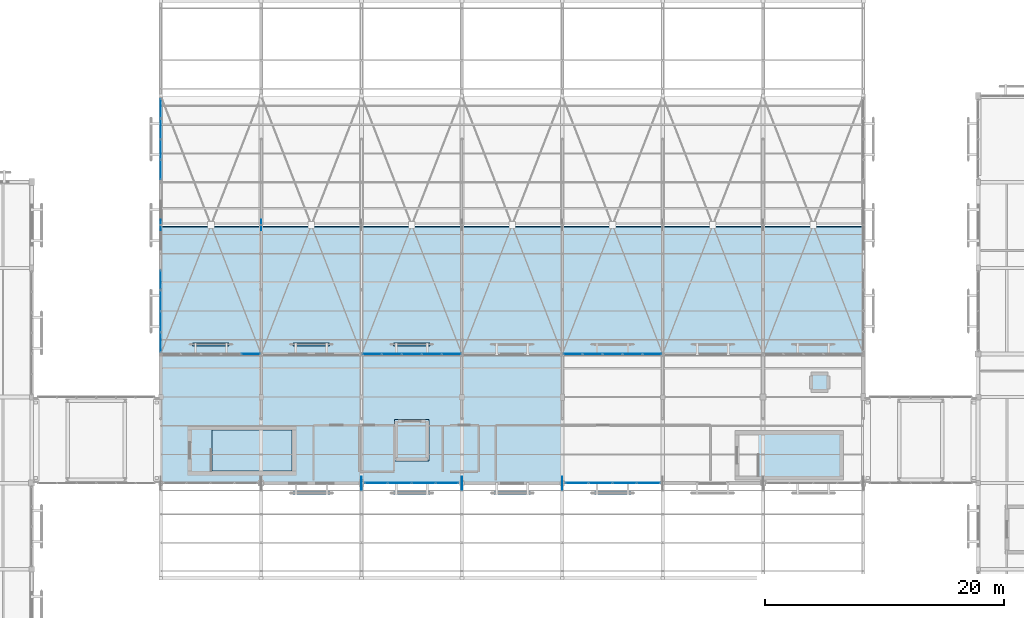
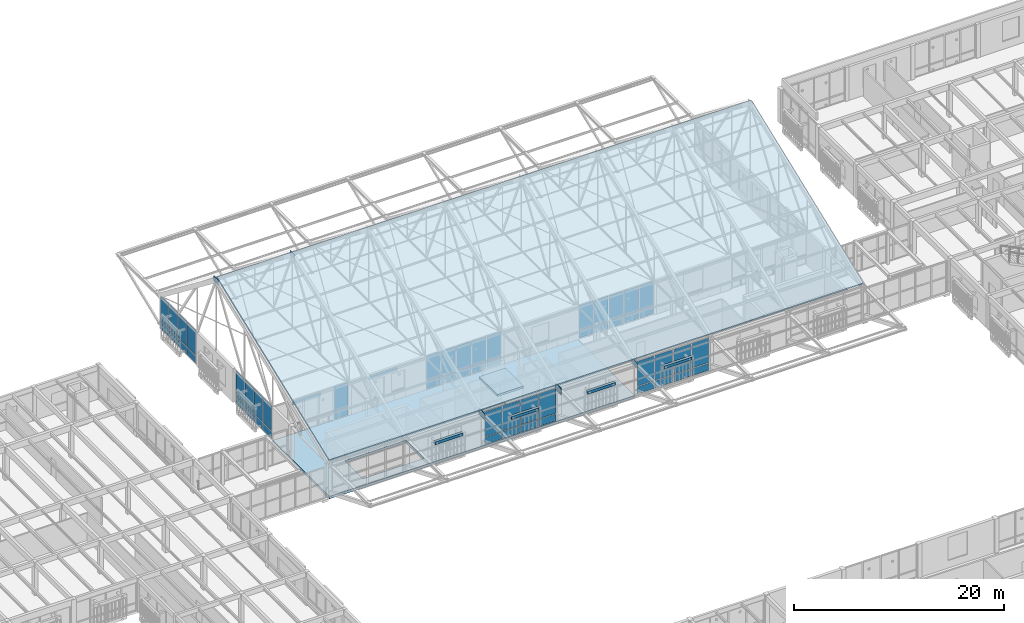
# One storey, part 169 of 217: 66 plates, 3 slabs, 7 elements without a shape of their own.
"""IFC4 building model written with IfcOpenShell, lengths in metres."""

from ifc_helpers import new_model, si_unit, direction, frame, origin, origin_2d, place, context, subcontext, project, spatial, polyline, rectangle, outline, extrude, material, layer, layer_set, type_object, element, aggregate, save


model = new_model("IFC4")

# Units and contexts
model_context = context("Model", 3, precision=1e-05, world=origin(), true_north=direction((0.0, 1.0)))
body_context = subcontext(model_context, "Body", "Model", "MODEL_VIEW")
ifc_project = project(units=[si_unit("LENGTHUNIT", "METRE"), si_unit("AREAUNIT", "SQUARE_METRE"), si_unit("VOLUMEUNIT", "CUBIC_METRE"), si_unit("PLANEANGLEUNIT", "RADIAN"), si_unit("MASSUNIT", "GRAM", prefix="KILO")], contexts=[model_context])

# Site, building, storey
site_placement = place(None, origin())
site = spatial("IfcSite", under=ifc_project, at=site_placement, CompositionType="ELEMENT")
building_placement = place(site_placement, origin())
building = spatial("IfcBuilding", under=site, at=building_placement, Name="Mazaris Harbour Polytechnic", CompositionType="ELEMENT")
storey_placement = place(building_placement, frame((0.0, 0.0, 9.60009765625)))
storey = spatial("IfcBuildingStorey", under=building, at=storey_placement, Name="L02", CompositionType="ELEMENT", Elevation=9.60009765625)

# Curtain wall, plates
ifc_material_1 = material(Name="Anodised Bronze Aluminium and Low-E Glass", Category="aluminium")
ifc_layer_1 = layer(ifc_material_1, 0.14990234375, Name="Anodised Bronze Aluminium and Low-E Glass")
ifc_layer_set_1 = layer_set([ifc_layer_1], Name="Anodised Bronze Aluminium and Low-E Glass")
curtain_wall_type = type_object("IfcCurtainWallType", Name="Workshop Clerestory Curtain Wall", PredefinedType="NOTDEFINED", material=ifc_layer_set_1)
curtain_wall_1_placement = place(storey_placement, origin())
curtain_wall_1 = element("IfcCurtainWall", 1, at=curtain_wall_1_placement, inside=storey, type_object=curtain_wall_type, Name="V1 L02 Curtain Wall 26", PredefinedType="NOTDEFINED")
ifc_material_2 = material(Name="Acoustic Low-E Double Glazing", Category="glass")
ifc_layer_2 = layer(ifc_material_2, 0.033935546875, Name="Acoustic Low-E Double Glazing")
ifc_layer_set_2 = layer_set([ifc_layer_2], Name="Acoustic Low-E Double Glazing")
plate_type_1 = type_object("IfcPlateType", Name="Acoustic Laminated Glass Panel 34", PredefinedType="CURTAIN_PANEL", material=ifc_layer_set_2)
plate_1_placement = place(storey_placement, frame((77.974853515625, 75.60009765625, 0.079833984375), z_axis=(0.0, 0.0, 1.0), x_axis=(-1.0, 0.0, 0.0)))
plate_1 = element("IfcPlate", 2, at=plate_1_placement, type_object=plate_type_1, Name="CW-04 panel 1.1", PredefinedType="CURTAIN_PANEL", context=body_context, shape_type="SweptSolid", body=[
    extrude(rectangle(XDim=1.846435546875, YDim=0.033935546875, at=origin_2d()), origin(), (0.0, 0.0, 1.0), 0.830078125),
])
plate_2_placement = place(storey_placement, frame((77.974853515625, 75.60009765625, 0.98974609375), z_axis=(0.0, 0.0, 1.0), x_axis=(-1.0, 0.0, 0.0)))
plate_2 = element("IfcPlate", 3, at=plate_2_placement, type_object=plate_type_1, Name="CW-04 panel 1.2", PredefinedType="CURTAIN_PANEL", context=body_context, shape_type="SweptSolid", body=[
    extrude(rectangle(XDim=1.846435546875, YDim=0.033935546875, at=origin_2d()), origin(), (0.0, 0.0, 1.0), 2.889892578125),
])
plate_3_placement = place(storey_placement, frame((76.003173828125, 75.60009765625, 0.079833984375), z_axis=(0.0, 0.0, 1.0), x_axis=(-1.0, 0.0, 0.0)))
plate_3 = element("IfcPlate", 4, at=plate_3_placement, type_object=plate_type_1, Name="CW-04 panel 2.1", PredefinedType="CURTAIN_PANEL", context=body_context, shape_type="SweptSolid", body=[
    extrude(rectangle(XDim=1.896484375, YDim=0.033935546875, at=origin_2d()), origin(), (0.0, 0.0, 1.0), 0.830078125),
])
plate_4_placement = place(storey_placement, frame((76.003173828125, 75.60009765625, 0.98974609375), z_axis=(0.0, 0.0, 1.0), x_axis=(-1.0, 0.0, 0.0)))
plate_4 = element("IfcPlate", 5, at=plate_4_placement, type_object=plate_type_1, Name="CW-04 panel 2.2", PredefinedType="CURTAIN_PANEL", context=body_context, shape_type="SweptSolid", body=[
    extrude(rectangle(XDim=1.896484375, YDim=0.033935546875, at=origin_2d()), origin(), (0.0, 0.0, 1.0), 2.889892578125),
])
plate_5_placement = place(storey_placement, frame((74.0068359375, 75.60009765625, 0.079833984375), z_axis=(0.0, 0.0, 1.0), x_axis=(-1.0, 0.0, 0.0)))
plate_5 = element("IfcPlate", 6, at=plate_5_placement, type_object=plate_type_1, Name="CW-04 panel 3.1", PredefinedType="CURTAIN_PANEL", context=body_context, shape_type="SweptSolid", body=[
    extrude(rectangle(XDim=1.896484375, YDim=0.033935546875, at=origin_2d()), origin(), (0.0, 0.0, 1.0), 0.830078125),
])
plate_6_placement = place(storey_placement, frame((74.0068359375, 75.60009765625, 0.98974609375), z_axis=(0.0, 0.0, 1.0), x_axis=(-1.0, 0.0, 0.0)))
plate_6 = element("IfcPlate", 7, at=plate_6_placement, type_object=plate_type_1, Name="CW-04 panel 3.2", PredefinedType="CURTAIN_PANEL", context=body_context, shape_type="SweptSolid", body=[
    extrude(rectangle(XDim=1.896484375, YDim=0.033935546875, at=origin_2d()), origin(), (0.0, 0.0, 1.0), 2.889892578125),
])
plate_7_placement = place(storey_placement, frame((72.03515625, 75.60009765625, 0.079833984375), z_axis=(0.0, 0.0, 1.0), x_axis=(-1.0, 0.0, 0.0)))
plate_7 = element("IfcPlate", 8, at=plate_7_placement, type_object=plate_type_1, Name="CW-04 panel 4.1", PredefinedType="CURTAIN_PANEL", context=body_context, shape_type="SweptSolid", body=[
    extrude(rectangle(XDim=1.846435546875, YDim=0.033935546875, at=origin_2d()), origin(), (0.0, 0.0, 1.0), 0.830078125),
])
plate_8_placement = place(storey_placement, frame((72.03515625, 75.60009765625, 0.98974609375), z_axis=(0.0, 0.0, 1.0), x_axis=(-1.0, 0.0, 0.0)))
plate_8 = element("IfcPlate", 9, at=plate_8_placement, type_object=plate_type_1, Name="CW-04 panel 4.2", PredefinedType="CURTAIN_PANEL", context=body_context, shape_type="SweptSolid", body=[
    extrude(rectangle(XDim=1.846435546875, YDim=0.033935546875, at=origin_2d()), origin(), (0.0, 0.0, 1.0), 2.889892578125),
])
aggregate(curtain_wall_1, [plate_1, plate_2, plate_3, plate_4, plate_5, plate_6, plate_7, plate_8])

curtain_wall_2_placement = place(storey_placement, origin())
curtain_wall_2 = element("IfcCurtainWall", 10, at=curtain_wall_2_placement, inside=storey, type_object=curtain_wall_type, Name="V1 L02 Curtain Wall 27", PredefinedType="NOTDEFINED")
plate_9_placement = place(storey_placement, frame((94.8046875, 75.60009765625, 0.079833984375), z_axis=(0.0, 0.0, 1.0), x_axis=(-1.0, 0.0, 0.0)))
plate_9 = element("IfcPlate", 11, at=plate_9_placement, type_object=plate_type_1, Name="CW-04 panel 1.1", PredefinedType="CURTAIN_PANEL", context=body_context, shape_type="SweptSolid", body=[
    extrude(rectangle(XDim=1.866455078125, YDim=0.033935546875, at=origin_2d()), origin(), (0.0, 0.0, 1.0), 0.830078125),
])
plate_10_placement = place(storey_placement, frame((94.8046875, 75.60009765625, 0.98974609375), z_axis=(0.0, 0.0, 1.0), x_axis=(-1.0, 0.0, 0.0)))
plate_10 = element("IfcPlate", 12, at=plate_10_placement, type_object=plate_type_1, Name="CW-04 panel 1.2", PredefinedType="CURTAIN_PANEL", context=body_context, shape_type="SweptSolid", body=[
    extrude(rectangle(XDim=1.866455078125, YDim=0.033935546875, at=origin_2d()), origin(), (0.0, 0.0, 1.0), 2.889892578125),
])
plate_11_placement = place(storey_placement, frame((92.813232421875, 75.60009765625, 0.079833984375), z_axis=(0.0, 0.0, 1.0), x_axis=(-1.0, 0.0, 0.0)))
plate_11 = element("IfcPlate", 13, at=plate_11_placement, type_object=plate_type_1, Name="CW-04 panel 2.1", PredefinedType="CURTAIN_PANEL", context=body_context, shape_type="SweptSolid", body=[
    extrude(rectangle(XDim=1.91650390625, YDim=0.033935546875, at=origin_2d()), origin(), (0.0, 0.0, 1.0), 0.830078125),
])
plate_12_placement = place(storey_placement, frame((92.813232421875, 75.60009765625, 0.98974609375), z_axis=(0.0, 0.0, 1.0), x_axis=(-1.0, 0.0, 0.0)))
plate_12 = element("IfcPlate", 14, at=plate_12_placement, type_object=plate_type_1, Name="CW-04 panel 2.2", PredefinedType="CURTAIN_PANEL", context=body_context, shape_type="SweptSolid", body=[
    extrude(rectangle(XDim=1.91650390625, YDim=0.033935546875, at=origin_2d()), origin(), (0.0, 0.0, 1.0), 2.889892578125),
])
plate_13_placement = place(storey_placement, frame((90.796630859375, 75.60009765625, 0.079833984375), z_axis=(0.0, 0.0, 1.0), x_axis=(-1.0, 0.0, 0.0)))
plate_13 = element("IfcPlate", 15, at=plate_13_placement, type_object=plate_type_1, Name="CW-04 panel 3.1", PredefinedType="CURTAIN_PANEL", context=body_context, shape_type="SweptSolid", body=[
    extrude(rectangle(XDim=1.91650390625, YDim=0.033935546875, at=origin_2d()), origin(), (0.0, 0.0, 1.0), 0.830078125),
])
plate_14_placement = place(storey_placement, frame((90.796630859375, 75.60009765625, 0.98974609375), z_axis=(0.0, 0.0, 1.0), x_axis=(-1.0, 0.0, 0.0)))
plate_14 = element("IfcPlate", 16, at=plate_14_placement, type_object=plate_type_1, Name="CW-04 panel 3.2", PredefinedType="CURTAIN_PANEL", context=body_context, shape_type="SweptSolid", body=[
    extrude(rectangle(XDim=1.91650390625, YDim=0.033935546875, at=origin_2d()), origin(), (0.0, 0.0, 1.0), 2.889892578125),
])
plate_15_placement = place(storey_placement, frame((88.80517578125, 75.60009765625, 0.079833984375), z_axis=(0.0, 0.0, 1.0), x_axis=(-1.0, 0.0, 0.0)))
plate_15 = element("IfcPlate", 17, at=plate_15_placement, type_object=plate_type_1, Name="CW-04 panel 4.1", PredefinedType="CURTAIN_PANEL", context=body_context, shape_type="SweptSolid", body=[
    extrude(rectangle(XDim=1.866455078125, YDim=0.033935546875, at=origin_2d()), origin(), (0.0, 0.0, 1.0), 0.830078125),
])
plate_16_placement = place(storey_placement, frame((88.80517578125, 75.60009765625, 0.98974609375), z_axis=(0.0, 0.0, 1.0), x_axis=(-1.0, 0.0, 0.0)))
plate_16 = element("IfcPlate", 18, at=plate_16_placement, type_object=plate_type_1, Name="CW-04 panel 4.2", PredefinedType="CURTAIN_PANEL", context=body_context, shape_type="SweptSolid", body=[
    extrude(rectangle(XDim=1.866455078125, YDim=0.033935546875, at=origin_2d()), origin(), (0.0, 0.0, 1.0), 2.889892578125),
])
aggregate(curtain_wall_2, [plate_9, plate_10, plate_11, plate_12, plate_13, plate_14, plate_15, plate_16])

curtain_wall_3_placement = place(storey_placement, origin())
curtain_wall_3 = element("IfcCurtainWall", 19, at=curtain_wall_3_placement, inside=storey, type_object=curtain_wall_type, Name="V1 L02 Curtain Wall 29", PredefinedType="NOTDEFINED")
plate_17_placement = place(storey_placement, frame((61.528564453125, 86.39990234375, 0.079833984375), z_axis=(0.0, 0.0, 1.0), x_axis=(1.0, 0.0, 0.0)))
plate_17 = element("IfcPlate", 20, at=plate_17_placement, type_object=plate_type_1, Name="CW-04 panel 5.1", PredefinedType="CURTAIN_PANEL", context=body_context, shape_type="SweptSolid", body=[
    extrude(rectangle(XDim=1.52685546875, YDim=0.033935546875, at=origin_2d()), origin(), (0.0, 0.0, 1.0), 0.830078125),
])
plate_18_placement = place(storey_placement, frame((61.528564453125, 86.39990234375, 0.98974609375), z_axis=(0.0, 0.0, 1.0), x_axis=(1.0, 0.0, 0.0)))
plate_18 = element("IfcPlate", 21, at=plate_18_placement, type_object=plate_type_1, Name="CW-04 panel 5.2", PredefinedType="CURTAIN_PANEL", context=body_context, shape_type="SweptSolid", body=[
    extrude(rectangle(XDim=1.52685546875, YDim=0.033935546875, at=origin_2d()), origin(), (0.0, 0.0, 1.0), 2.889892578125),
])
aggregate(curtain_wall_3, [plate_17, plate_18])

curtain_wall_4_placement = place(storey_placement, origin())
curtain_wall_4 = element("IfcCurtainWall", 22, at=curtain_wall_4_placement, inside=storey, type_object=curtain_wall_type, Name="V1 L02 Curtain Wall 30", PredefinedType="NOTDEFINED")
plate_19_placement = place(storey_placement, frame((71.67138671875, 86.39990234375, 0.079833984375), z_axis=(0.0, 0.0, 1.0), x_axis=(1.0, 0.0, 0.0)))
plate_19 = element("IfcPlate", 23, at=plate_19_placement, type_object=plate_type_1, Name="CW-04 panel 1.1", PredefinedType="CURTAIN_PANEL", context=body_context, shape_type="SweptSolid", body=[
    extrude(rectangle(XDim=1.52685546875, YDim=0.033935546875, at=origin_2d()), origin(), (0.0, 0.0, 1.0), 0.830078125),
])
plate_20_placement = place(storey_placement, frame((71.67138671875, 86.39990234375, 0.98974609375), z_axis=(0.0, 0.0, 1.0), x_axis=(1.0, 0.0, 0.0)))
plate_20 = element("IfcPlate", 24, at=plate_20_placement, type_object=plate_type_1, Name="CW-04 panel 1.2", PredefinedType="CURTAIN_PANEL", context=body_context, shape_type="SweptSolid", body=[
    extrude(rectangle(XDim=1.52685546875, YDim=0.033935546875, at=origin_2d()), origin(), (0.0, 0.0, 1.0), 2.889892578125),
])
plate_21_placement = place(storey_placement, frame((73.3232421875, 86.39990234375, 0.079833984375), z_axis=(0.0, 0.0, 1.0), x_axis=(1.0, 0.0, 0.0)))
plate_21 = element("IfcPlate", 25, at=plate_21_placement, type_object=plate_type_1, Name="CW-04 panel 2.1", PredefinedType="CURTAIN_PANEL", context=body_context, shape_type="SweptSolid", body=[
    extrude(rectangle(XDim=1.576904296875, YDim=0.033935546875, at=origin_2d()), origin(), (0.0, 0.0, 1.0), 0.830078125),
])
plate_22_placement = place(storey_placement, frame((73.3232421875, 86.39990234375, 0.98974609375), z_axis=(0.0, 0.0, 1.0), x_axis=(1.0, 0.0, 0.0)))
plate_22 = element("IfcPlate", 26, at=plate_22_placement, type_object=plate_type_1, Name="CW-04 panel 2.2", PredefinedType="CURTAIN_PANEL", context=body_context, shape_type="SweptSolid", body=[
    extrude(rectangle(XDim=1.576904296875, YDim=0.033935546875, at=origin_2d()), origin(), (0.0, 0.0, 1.0), 2.889892578125),
])
plate_23_placement = place(storey_placement, frame((75.0, 86.39990234375, 0.079833984375), z_axis=(0.0, 0.0, 1.0), x_axis=(1.0, 0.0, 0.0)))
plate_23 = element("IfcPlate", 27, at=plate_23_placement, type_object=plate_type_1, Name="CW-04 panel 3.1", PredefinedType="CURTAIN_PANEL", context=body_context, shape_type="SweptSolid", body=[
    extrude(rectangle(XDim=1.576904296875, YDim=0.033935546875, at=origin_2d()), origin(), (0.0, 0.0, 1.0), 0.830078125),
])
plate_24_placement = place(storey_placement, frame((75.0, 86.39990234375, 0.98974609375), z_axis=(0.0, 0.0, 1.0), x_axis=(1.0, 0.0, 0.0)))
plate_24 = element("IfcPlate", 28, at=plate_24_placement, type_object=plate_type_1, Name="CW-04 panel 3.2", PredefinedType="CURTAIN_PANEL", context=body_context, shape_type="SweptSolid", body=[
    extrude(rectangle(XDim=1.576904296875, YDim=0.033935546875, at=origin_2d()), origin(), (0.0, 0.0, 1.0), 2.889892578125),
])
plate_25_placement = place(storey_placement, frame((76.6767578125, 86.39990234375, 0.079833984375), z_axis=(0.0, 0.0, 1.0), x_axis=(1.0, 0.0, 0.0)))
plate_25 = element("IfcPlate", 29, at=plate_25_placement, type_object=plate_type_1, Name="CW-04 panel 4.1", PredefinedType="CURTAIN_PANEL", context=body_context, shape_type="SweptSolid", body=[
    extrude(rectangle(XDim=1.576904296875, YDim=0.033935546875, at=origin_2d()), origin(), (0.0, 0.0, 1.0), 0.830078125),
])
plate_26_placement = place(storey_placement, frame((76.6767578125, 86.39990234375, 0.98974609375), z_axis=(0.0, 0.0, 1.0), x_axis=(1.0, 0.0, 0.0)))
plate_26 = element("IfcPlate", 30, at=plate_26_placement, type_object=plate_type_1, Name="CW-04 panel 4.2", PredefinedType="CURTAIN_PANEL", context=body_context, shape_type="SweptSolid", body=[
    extrude(rectangle(XDim=1.576904296875, YDim=0.033935546875, at=origin_2d()), origin(), (0.0, 0.0, 1.0), 2.889892578125),
])
plate_27_placement = place(storey_placement, frame((78.32861328125, 86.39990234375, 0.079833984375), z_axis=(0.0, 0.0, 1.0), x_axis=(1.0, 0.0, 0.0)))
plate_27 = element("IfcPlate", 31, at=plate_27_placement, type_object=plate_type_1, Name="CW-04 panel 5.1", PredefinedType="CURTAIN_PANEL", context=body_context, shape_type="SweptSolid", body=[
    extrude(rectangle(XDim=1.52685546875, YDim=0.033935546875, at=origin_2d()), origin(), (0.0, 0.0, 1.0), 0.830078125),
])
plate_28_placement = place(storey_placement, frame((78.32861328125, 86.39990234375, 0.98974609375), z_axis=(0.0, 0.0, 1.0), x_axis=(1.0, 0.0, 0.0)))
plate_28 = element("IfcPlate", 32, at=plate_28_placement, type_object=plate_type_1, Name="CW-04 panel 5.2", PredefinedType="CURTAIN_PANEL", context=body_context, shape_type="SweptSolid", body=[
    extrude(rectangle(XDim=1.52685546875, YDim=0.033935546875, at=origin_2d()), origin(), (0.0, 0.0, 1.0), 2.889892578125),
])
aggregate(curtain_wall_4, [plate_19, plate_20, plate_21, plate_22, plate_23, plate_24, plate_25, plate_26, plate_27, plate_28])

curtain_wall_5_placement = place(storey_placement, origin())
curtain_wall_5 = element("IfcCurtainWall", 33, at=curtain_wall_5_placement, inside=storey, type_object=curtain_wall_type, Name="V1 L02 Curtain Wall 31", PredefinedType="NOTDEFINED")
plate_29_placement = place(storey_placement, frame((88.471435546875, 86.39990234375, 0.079833984375), z_axis=(0.0, 0.0, 1.0), x_axis=(1.0, 0.0, 0.0)))
plate_29 = element("IfcPlate", 34, at=plate_29_placement, type_object=plate_type_1, Name="CW-04 panel 1.1", PredefinedType="CURTAIN_PANEL", context=body_context, shape_type="SweptSolid", body=[
    extrude(rectangle(XDim=1.52685546875, YDim=0.033935546875, at=origin_2d()), origin(), (0.0, 0.0, 1.0), 0.830078125),
])
plate_30_placement = place(storey_placement, frame((88.471435546875, 86.39990234375, 0.98974609375), z_axis=(0.0, 0.0, 1.0), x_axis=(1.0, 0.0, 0.0)))
plate_30 = element("IfcPlate", 35, at=plate_30_placement, type_object=plate_type_1, Name="CW-04 panel 1.2", PredefinedType="CURTAIN_PANEL", context=body_context, shape_type="SweptSolid", body=[
    extrude(rectangle(XDim=1.52685546875, YDim=0.033935546875, at=origin_2d()), origin(), (0.0, 0.0, 1.0), 2.889892578125),
])
plate_31_placement = place(storey_placement, frame((90.123291015625, 86.39990234375, 0.079833984375), z_axis=(0.0, 0.0, 1.0), x_axis=(1.0, 0.0, 0.0)))
plate_31 = element("IfcPlate", 36, at=plate_31_placement, type_object=plate_type_1, Name="CW-04 panel 2.1", PredefinedType="CURTAIN_PANEL", context=body_context, shape_type="SweptSolid", body=[
    extrude(rectangle(XDim=1.576904296875, YDim=0.033935546875, at=origin_2d()), origin(), (0.0, 0.0, 1.0), 0.830078125),
])
plate_32_placement = place(storey_placement, frame((90.123291015625, 86.39990234375, 0.98974609375), z_axis=(0.0, 0.0, 1.0), x_axis=(1.0, 0.0, 0.0)))
plate_32 = element("IfcPlate", 37, at=plate_32_placement, type_object=plate_type_1, Name="CW-04 panel 2.2", PredefinedType="CURTAIN_PANEL", context=body_context, shape_type="SweptSolid", body=[
    extrude(rectangle(XDim=1.576904296875, YDim=0.033935546875, at=origin_2d()), origin(), (0.0, 0.0, 1.0), 2.889892578125),
])
plate_33_placement = place(storey_placement, frame((91.800048828125, 86.39990234375, 0.079833984375), z_axis=(0.0, 0.0, 1.0), x_axis=(1.0, 0.0, 0.0)))
plate_33 = element("IfcPlate", 38, at=plate_33_placement, type_object=plate_type_1, Name="CW-04 panel 3.1", PredefinedType="CURTAIN_PANEL", context=body_context, shape_type="SweptSolid", body=[
    extrude(rectangle(XDim=1.576904296875, YDim=0.033935546875, at=origin_2d()), origin(), (0.0, 0.0, 1.0), 0.830078125),
])
plate_34_placement = place(storey_placement, frame((91.800048828125, 86.39990234375, 0.98974609375), z_axis=(0.0, 0.0, 1.0), x_axis=(1.0, 0.0, 0.0)))
plate_34 = element("IfcPlate", 39, at=plate_34_placement, type_object=plate_type_1, Name="CW-04 panel 3.2", PredefinedType="CURTAIN_PANEL", context=body_context, shape_type="SweptSolid", body=[
    extrude(rectangle(XDim=1.576904296875, YDim=0.033935546875, at=origin_2d()), origin(), (0.0, 0.0, 1.0), 2.889892578125),
])
plate_35_placement = place(storey_placement, frame((93.476806640625, 86.39990234375, 0.079833984375), z_axis=(0.0, 0.0, 1.0), x_axis=(1.0, 0.0, 0.0)))
plate_35 = element("IfcPlate", 40, at=plate_35_placement, type_object=plate_type_1, Name="CW-04 panel 4.1", PredefinedType="CURTAIN_PANEL", context=body_context, shape_type="SweptSolid", body=[
    extrude(rectangle(XDim=1.576904296875, YDim=0.033935546875, at=origin_2d()), origin(), (0.0, 0.0, 1.0), 0.830078125),
])
plate_36_placement = place(storey_placement, frame((93.476806640625, 86.39990234375, 0.98974609375), z_axis=(0.0, 0.0, 1.0), x_axis=(1.0, 0.0, 0.0)))
plate_36 = element("IfcPlate", 41, at=plate_36_placement, type_object=plate_type_1, Name="CW-04 panel 4.2", PredefinedType="CURTAIN_PANEL", context=body_context, shape_type="SweptSolid", body=[
    extrude(rectangle(XDim=1.576904296875, YDim=0.033935546875, at=origin_2d()), origin(), (0.0, 0.0, 1.0), 2.889892578125),
])
plate_37_placement = place(storey_placement, frame((95.128662109375, 86.39990234375, 0.079833984375), z_axis=(0.0, 0.0, 1.0), x_axis=(1.0, 0.0, 0.0)))
plate_37 = element("IfcPlate", 42, at=plate_37_placement, type_object=plate_type_1, Name="CW-04 panel 5.1", PredefinedType="CURTAIN_PANEL", context=body_context, shape_type="SweptSolid", body=[
    extrude(rectangle(XDim=1.52685546875, YDim=0.033935546875, at=origin_2d()), origin(), (0.0, 0.0, 1.0), 0.830078125),
])
plate_38_placement = place(storey_placement, frame((95.128662109375, 86.39990234375, 0.98974609375), z_axis=(0.0, 0.0, 1.0), x_axis=(1.0, 0.0, 0.0)))
plate_38 = element("IfcPlate", 43, at=plate_38_placement, type_object=plate_type_1, Name="CW-04 panel 5.2", PredefinedType="CURTAIN_PANEL", context=body_context, shape_type="SweptSolid", body=[
    extrude(rectangle(XDim=1.52685546875, YDim=0.033935546875, at=origin_2d()), origin(), (0.0, 0.0, 1.0), 2.889892578125),
])
aggregate(curtain_wall_5, [plate_29, plate_30, plate_31, plate_32, plate_33, plate_34, plate_35, plate_36, plate_37, plate_38])

curtain_wall_6_placement = place(storey_placement, origin())
curtain_wall_6 = element("IfcCurtainWall", 44, at=curtain_wall_6_placement, inside=storey, type_object=curtain_wall_type, Name="V1 L02 Curtain Wall 33", PredefinedType="NOTDEFINED")
plate_39_placement = place(storey_placement, frame((54.0, 87.395263671875, 0.079833984375), z_axis=(0.0, 0.0, 1.0), x_axis=(0.0, 1.0, 0.0)))
plate_39 = element("IfcPlate", 45, at=plate_39_placement, type_object=plate_type_1, Name="CW-04 panel 1.1", PredefinedType="CURTAIN_PANEL", context=body_context, shape_type="SweptSolid", body=[
    extrude(rectangle(XDim=1.596435546875, YDim=0.033935546875, at=origin_2d()), origin(), (0.0, 0.0, 1.0), 0.830078125),
])
plate_40_placement = place(storey_placement, frame((54.0, 87.395263671875, 0.98974609375), z_axis=(0.0, 0.0, 1.0), x_axis=(0.0, 1.0, 0.0)))
plate_40 = element("IfcPlate", 46, at=plate_40_placement, type_object=plate_type_1, Name="CW-04 panel 1.2", PredefinedType="CURTAIN_PANEL", context=body_context, shape_type="SweptSolid", body=[
    extrude(rectangle(XDim=1.596435546875, YDim=0.033935546875, at=origin_2d()), origin(), (0.0, 0.0, 1.0), 2.889892578125),
])
plate_41_placement = place(storey_placement, frame((54.0, 89.11669921875, 0.079833984375), z_axis=(0.0, 0.0, 1.0), x_axis=(0.0, 1.0, 0.0)))
plate_41 = element("IfcPlate", 47, at=plate_41_placement, type_object=plate_type_1, Name="CW-04 panel 2.1", PredefinedType="CURTAIN_PANEL", context=body_context, shape_type="SweptSolid", body=[
    extrude(rectangle(XDim=1.646484375, YDim=0.033935546875, at=origin_2d()), origin(), (0.0, 0.0, 1.0), 0.830078125),
])
plate_42_placement = place(storey_placement, frame((54.0, 89.11669921875, 0.98974609375), z_axis=(0.0, 0.0, 1.0), x_axis=(0.0, 1.0, 0.0)))
plate_42 = element("IfcPlate", 48, at=plate_42_placement, type_object=plate_type_1, Name="CW-04 panel 2.2", PredefinedType="CURTAIN_PANEL", context=body_context, shape_type="SweptSolid", body=[
    extrude(rectangle(XDim=1.646484375, YDim=0.033935546875, at=origin_2d()), origin(), (0.0, 0.0, 1.0), 2.889892578125),
])
plate_43_placement = place(storey_placement, frame((54.0, 90.86328125, 0.079833984375), z_axis=(0.0, 0.0, 1.0), x_axis=(0.0, 1.0, 0.0)))
plate_43 = element("IfcPlate", 49, at=plate_43_placement, type_object=plate_type_1, Name="CW-04 panel 3.1", PredefinedType="CURTAIN_PANEL", context=body_context, shape_type="SweptSolid", body=[
    extrude(rectangle(XDim=1.646484375, YDim=0.033935546875, at=origin_2d()), origin(), (0.0, 0.0, 1.0), 0.830078125),
])
plate_44_placement = place(storey_placement, frame((54.0, 90.86328125, 0.98974609375), z_axis=(0.0, 0.0, 1.0), x_axis=(0.0, 1.0, 0.0)))
plate_44 = element("IfcPlate", 50, at=plate_44_placement, type_object=plate_type_1, Name="CW-04 panel 3.2", PredefinedType="CURTAIN_PANEL", context=body_context, shape_type="SweptSolid", body=[
    extrude(rectangle(XDim=1.646484375, YDim=0.033935546875, at=origin_2d()), origin(), (0.0, 0.0, 1.0), 2.889892578125),
])
plate_45_placement = place(storey_placement, frame((54.0, 92.584716796875, 0.079833984375), z_axis=(0.0, 0.0, 1.0), x_axis=(0.0, 1.0, 0.0)))
plate_45 = element("IfcPlate", 51, at=plate_45_placement, type_object=plate_type_1, Name="CW-04 panel 4.1", PredefinedType="CURTAIN_PANEL", context=body_context, shape_type="SweptSolid", body=[
    extrude(rectangle(XDim=1.596435546875, YDim=0.033935546875, at=origin_2d()), origin(), (0.0, 0.0, 1.0), 0.830078125),
])
plate_46_placement = place(storey_placement, frame((54.0, 92.584716796875, 0.98974609375), z_axis=(0.0, 0.0, 1.0), x_axis=(0.0, 1.0, 0.0)))
plate_46 = element("IfcPlate", 52, at=plate_46_placement, type_object=plate_type_1, Name="CW-04 panel 4.2", PredefinedType="CURTAIN_PANEL", context=body_context, shape_type="SweptSolid", body=[
    extrude(rectangle(XDim=1.596435546875, YDim=0.033935546875, at=origin_2d()), origin(), (0.0, 0.0, 1.0), 2.889892578125),
])
aggregate(curtain_wall_6, [plate_39, plate_40, plate_41, plate_42, plate_43, plate_44, plate_45, plate_46])

curtain_wall_7_placement = place(storey_placement, origin())
curtain_wall_7 = element("IfcCurtainWall", 53, at=curtain_wall_7_placement, inside=storey, type_object=curtain_wall_type, Name="V1 L02 Curtain Wall 34", PredefinedType="NOTDEFINED")
plate_47_placement = place(storey_placement, frame((54.0, 101.8251953125, 0.079833984375), z_axis=(0.0, 0.0, 1.0), x_axis=(0.0, 1.0, 0.0)))
plate_47 = element("IfcPlate", 54, at=plate_47_placement, type_object=plate_type_1, Name="CW-04 panel 1.1", PredefinedType="CURTAIN_PANEL", context=body_context, shape_type="SweptSolid", body=[
    extrude(rectangle(XDim=1.576416015625, YDim=0.033935546875, at=origin_2d()), origin(), (0.0, 0.0, 1.0), 0.830078125),
])
plate_48_placement = place(storey_placement, frame((54.0, 101.8251953125, 0.98974609375), z_axis=(0.0, 0.0, 1.0), x_axis=(0.0, 1.0, 0.0)))
plate_48 = element("IfcPlate", 55, at=plate_48_placement, type_object=plate_type_1, Name="CW-04 panel 1.2", PredefinedType="CURTAIN_PANEL", context=body_context, shape_type="SweptSolid", body=[
    extrude(rectangle(XDim=1.576416015625, YDim=0.033935546875, at=origin_2d()), origin(), (0.0, 0.0, 1.0), 2.889892578125),
])
plate_49_placement = place(storey_placement, frame((54.0, 103.52685546875, 0.079833984375), z_axis=(0.0, 0.0, 1.0), x_axis=(0.0, 1.0, 0.0)))
plate_49 = element("IfcPlate", 56, at=plate_49_placement, type_object=plate_type_1, Name="CW-04 panel 2.1", PredefinedType="CURTAIN_PANEL", context=body_context, shape_type="SweptSolid", body=[
    extrude(rectangle(XDim=1.62646484375, YDim=0.033935546875, at=origin_2d()), origin(), (0.0, 0.0, 1.0), 0.830078125),
])
plate_50_placement = place(storey_placement, frame((54.0, 103.52685546875, 0.98974609375), z_axis=(0.0, 0.0, 1.0), x_axis=(0.0, 1.0, 0.0)))
plate_50 = element("IfcPlate", 57, at=plate_50_placement, type_object=plate_type_1, Name="CW-04 panel 2.2", PredefinedType="CURTAIN_PANEL", context=body_context, shape_type="SweptSolid", body=[
    extrude(rectangle(XDim=1.62646484375, YDim=0.033935546875, at=origin_2d()), origin(), (0.0, 0.0, 1.0), 2.889892578125),
])
plate_51_placement = place(storey_placement, frame((54.0, 105.253173828125, 0.079833984375), z_axis=(0.0, 0.0, 1.0), x_axis=(0.0, 1.0, 0.0)))
plate_51 = element("IfcPlate", 58, at=plate_51_placement, type_object=plate_type_1, Name="CW-04 panel 3.1", PredefinedType="CURTAIN_PANEL", context=body_context, shape_type="SweptSolid", body=[
    extrude(rectangle(XDim=1.62646484375, YDim=0.033935546875, at=origin_2d()), origin(), (0.0, 0.0, 1.0), 0.830078125),
])
plate_52_placement = place(storey_placement, frame((54.0, 105.253173828125, 0.98974609375), z_axis=(0.0, 0.0, 1.0), x_axis=(0.0, 1.0, 0.0)))
plate_52 = element("IfcPlate", 59, at=plate_52_placement, type_object=plate_type_1, Name="CW-04 panel 3.2", PredefinedType="CURTAIN_PANEL", context=body_context, shape_type="SweptSolid", body=[
    extrude(rectangle(XDim=1.62646484375, YDim=0.033935546875, at=origin_2d()), origin(), (0.0, 0.0, 1.0), 2.889892578125),
])
plate_53_placement = place(storey_placement, frame((54.0, 106.954833984375, 0.079833984375), z_axis=(0.0, 0.0, 1.0), x_axis=(0.0, 1.0, 0.0)))
plate_53 = element("IfcPlate", 60, at=plate_53_placement, type_object=plate_type_1, Name="CW-04 panel 4.1", PredefinedType="CURTAIN_PANEL", context=body_context, shape_type="SweptSolid", body=[
    extrude(rectangle(XDim=1.576416015625, YDim=0.033935546875, at=origin_2d()), origin(), (0.0, 0.0, 1.0), 0.830078125),
])
plate_54_placement = place(storey_placement, frame((54.0, 106.954833984375, 0.98974609375), z_axis=(0.0, 0.0, 1.0), x_axis=(0.0, 1.0, 0.0)))
plate_54 = element("IfcPlate", 61, at=plate_54_placement, type_object=plate_type_1, Name="CW-04 panel 4.2", PredefinedType="CURTAIN_PANEL", context=body_context, shape_type="SweptSolid", body=[
    extrude(rectangle(XDim=1.576416015625, YDim=0.033935546875, at=origin_2d()), origin(), (0.0, 0.0, 1.0), 2.889892578125),
])
aggregate(curtain_wall_7, [plate_47, plate_48, plate_49, plate_50, plate_51, plate_52, plate_53, plate_54])

# Slabs
ifc_material_3 = material(Name="Glulam GL28h and Concrete C30/37", Category="concrete")
ifc_layer_3 = layer(ifc_material_3, 0.280029296875, Name="Glulam GL28h and Concrete C30/37")
ifc_layer_set_3 = layer_set([ifc_layer_3], Name="Glulam GL28h and Concrete C30/37")
slab_type_1 = type_object("IfcSlabType", Name="CLT Composite Floor 280", PredefinedType="FLOOR", material=ifc_layer_set_3)
slab_1_placement = place(storey_placement, frame((0.0, 0.0, -0.280029296875)))
element("IfcSlab", 62, at=slab_1_placement, inside=storey, type_object=slab_type_1, Name="V1 L02 Floor Slab", PredefinedType="FLOOR", context=body_context, shape_type="SweptSolid", body=[
    extrude(outline(polyline([(54.0, 75.60009765625), (54.0, 86.39990234375), (87.60009765625, 86.39990234375), (87.60009765625, 75.60009765625), (54.0, 75.60009765625)]), holes=[polyline([(65.0, 80.050048828125), (58.27490234375, 80.050048828125), (58.27490234375, 76.60009765625), (65.0, 76.60009765625), (65.0, 80.050048828125)]), polyline([(73.699951171875, 77.60009765625), (76.300048828125, 77.60009765625), (76.300048828125, 80.800048828125), (73.699951171875, 80.800048828125), (73.699951171875, 77.60009765625)])]), origin(), (0.0, 0.0, 1.0), 0.280029296875),
])
ifc_material_4 = material(Name="Glulam GL28h and Concrete C30/37", Category="concrete")
ifc_layer_4 = layer(ifc_material_4, 0.239990234375, Name="Glulam GL28h and Concrete C30/37")
ifc_layer_set_4 = layer_set([ifc_layer_4], Name="Glulam GL28h and Concrete C30/37")
slab_type_2 = type_object("IfcSlabType", Name="Insulated Flat Roof Slab 240", PredefinedType="ROOF", material=ifc_layer_set_4)
slab_2_placement = place(storey_placement, frame((0.0, 0.0, 3.639892578125)))
element("IfcSlab", 63, at=slab_2_placement, inside=storey, type_object=slab_type_2, Name="Lift LG-01 Overrun Roof Cap", PredefinedType="ROOF", context=body_context, shape_type="SweptSolid", body=[
    extrude(outline(polyline([(76.449951171875, 77.449951171875), (76.449951171875, 80.949951171875), (73.550048828125, 80.949951171875), (73.550048828125, 77.449951171875), (76.449951171875, 77.449951171875)])), origin(), (0.0, 0.0, 1.0), 0.239990234375),
])

# Plates
ifc_material_5 = material(Name="Perforated Earth-Coloured Terracotta Block", Category="masonry")
ifc_layer_5 = layer(ifc_material_5, 0.25, Name="Perforated Earth-Coloured Terracotta Block")
ifc_layer_set_5 = layer_set([ifc_layer_5], Name="Perforated Earth-Coloured Terracotta Block")
plate_type_2 = type_object("IfcPlateType", Name="Perforated Terracotta Screen 3060x250x320", PredefinedType="USERDEFINED", material=ifc_layer_set_5)
for number, where, z_axis, x_axis, name in (
    (64, (66.614990234375, 74.780029296875, 2.7099609375), (0.0, 0.0, 1.0), (-1.0, 0.0, 0.0), "V1 L02 Terracotta Screen Crest Plaque 24"),
    (65, (75.0048828125, 74.780029296875, 2.7099609375), (0.0, 0.0, 1.0), (-1.0, 0.0, 0.0), "V1 L02 Terracotta Screen Crest Plaque 25"),
    (66, (83.4150390625, 74.780029296875, 2.7099609375), (0.0, 0.0, 1.0), (-1.0, 0.0, 0.0), "V1 L02 Terracotta Screen Crest Plaque 26"),
    (67, (91.804931640625, 74.780029296875, 2.7099609375), (0.0, 0.0, 1.0), (-1.0, 0.0, 0.0), "V1 L02 Terracotta Screen Crest Plaque 27"),
    (68, (58.199951171875, 87.219970703125, 2.7099609375), (0.0, 0.0, 1.0), (1.0, 0.0, 0.0), "V1 L02 Terracotta Screen Crest Plaque 30"),
    (69, (66.60009765625, 87.219970703125, 2.7099609375), (0.0, 0.0, 1.0), (1.0, 0.0, 0.0), "V1 L02 Terracotta Screen Crest Plaque 31"),
    (70, (75.0, 87.219970703125, 2.7099609375), (0.0, 0.0, 1.0), (1.0, 0.0, 0.0), "V1 L02 Terracotta Screen Crest Plaque 32"),
):
    element("IfcPlate", number, at=place(storey_placement, frame(where, z_axis=z_axis, x_axis=x_axis)), inside=storey, type_object=plate_type_2, Name=name, ObjectType="SOLAR SCREEN", PredefinedType="USERDEFINED", context=body_context, shape_type="SweptSolid", body=[
        extrude(rectangle(XDim=3.06005859375, YDim=0.25, at=origin_2d()), origin(), (0.0, 0.0, 1.0), 0.320068359375),
    ])

# Slab
ifc_material_6 = material(Name="Glulam GL28h", Category="wood")
ifc_layer_6 = layer(ifc_material_6, 0.219970703125, Name="Glulam GL28h")
ifc_layer_set_6 = layer_set([ifc_layer_6], Name="Glulam GL28h")
slab_type_3 = type_object("IfcSlabType", Name="Pitched Workshop Roof Deck 220", PredefinedType="ROOF", material=ifc_layer_set_6)
slab_3_placement = place(storey_placement, frame((54.0, 75.659912109375, 4.239990234375), z_axis=(0.0, -0.363026913503, 0.931778654012), x_axis=(1.0, 0.0, 0.0)))
element("IfcSlab", 71, at=slab_3_placement, inside=storey, type_object=slab_type_3, Name="V1 Workshop South Pitched Roof", PredefinedType="ROOF", context=body_context, shape_type="SweptSolid", body=[
    extrude(outline(polyline([(0.0, 0.0), (58.800048828125, 0.0), (58.800048828125, 22.94549983632936), (0.0, 22.94549983632936), (0.0, 0.0)])), origin(), (0.0, 0.0, -1.0), 0.219970703125),
])

# Plates
ifc_material_7 = material(Name="Steel S355", Category="steel")
ifc_layer_7 = layer(ifc_material_7, 0.028076171875, Name="Steel S355")
ifc_layer_set_7 = layer_set([ifc_layer_7], Name="Steel S355")
plate_type_3 = type_object("IfcPlateType", Name="Truss Heel Gusset Plate 1100x750x28", PredefinedType="SHEET", material=ifc_layer_set_7)
for number, where, z_axis, x_axis, name in (
    (72, (70.800048828125, 75.60009765625, 3.375), (0.0, 0.0, 1.0), (0.0, 1.0, 0.0), "Truss 3 South Heel Gusset Plate"),
    (73, (79.199951171875, 75.60009765625, 3.375), (0.0, 0.0, 1.0), (0.0, 1.0, 0.0), "Truss 4 South Heel Gusset Plate"),
    (74, (87.60009765625, 75.60009765625, 3.375), (0.0, 0.0, 1.0), (0.0, 1.0, 0.0), "Truss 5 South Heel Gusset Plate"),
):
    element("IfcPlate", number, at=place(storey_placement, frame(where, z_axis=z_axis, x_axis=x_axis)), inside=storey, type_object=plate_type_3, Name=name, PredefinedType="SHEET", context=body_context, shape_type="SweptSolid", body=[
        extrude(rectangle(XDim=1.10009765625, YDim=0.028076171875, at=origin_2d()), origin(), (0.0, 0.0, 1.0), 0.75),
    ])
ifc_material_8 = material(Name="Steel S355", Category="steel")
ifc_layer_8 = layer(ifc_material_8, 0.02392578125, Name="Steel S355")
ifc_layer_set_8 = layer_set([ifc_layer_8], Name="Steel S355")
plate_type_4 = type_object("IfcPlateType", Name="Truss Ridge Gusset Plate 900x650x24", PredefinedType="SHEET", material=ifc_layer_set_8)
for number, where, z_axis, x_axis, name in (
    (75, (54.0, 97.199951171875, 11.724853515625), (0.0, 0.0, 1.0), (0.0, 1.0, 0.0), "Truss 1 Ridge Gusset Plate"),
    (76, (62.39990234375, 97.199951171875, 11.724853515625), (0.0, 0.0, 1.0), (0.0, 1.0, 0.0), "Truss 2 Ridge Gusset Plate"),
):
    element("IfcPlate", number, at=place(storey_placement, frame(where, z_axis=z_axis, x_axis=x_axis)), inside=storey, type_object=plate_type_4, Name=name, PredefinedType="SHEET", context=body_context, shape_type="SweptSolid", body=[
        extrude(rectangle(XDim=0.89990234375, YDim=0.02392578125, at=origin_2d()), origin(), (0.0, 0.0, 1.0), 0.64990234375),
    ])

save(model, "model.ifc")
